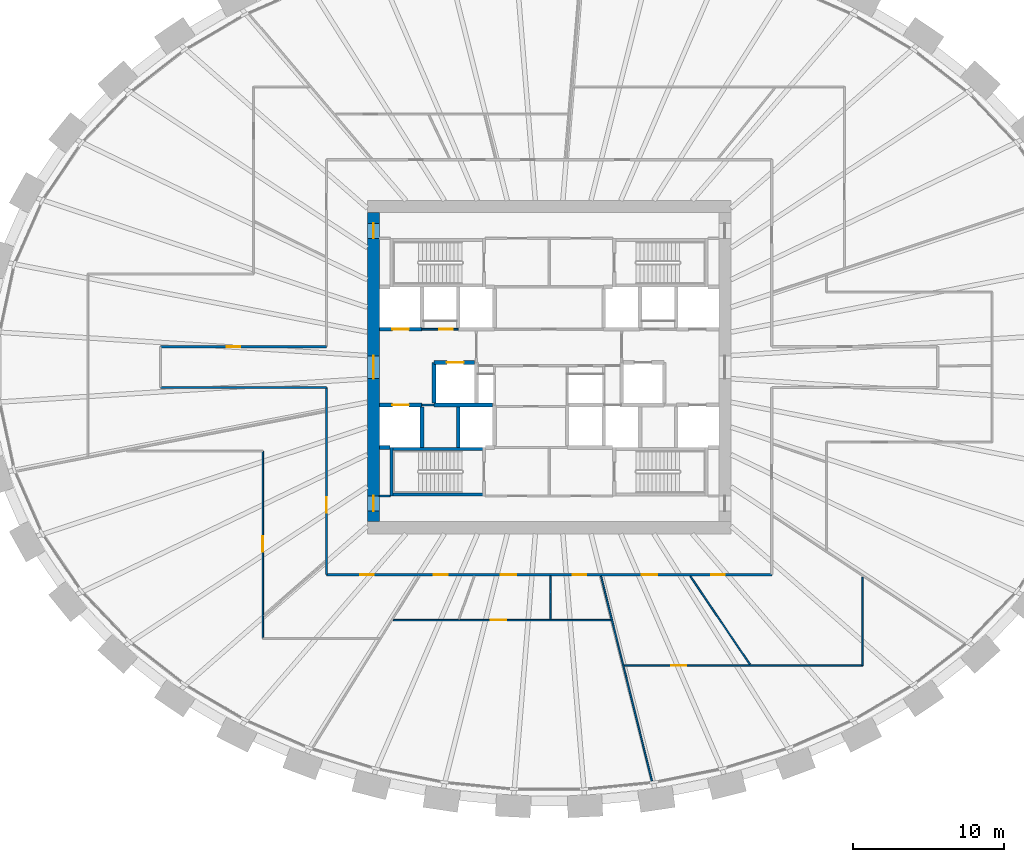
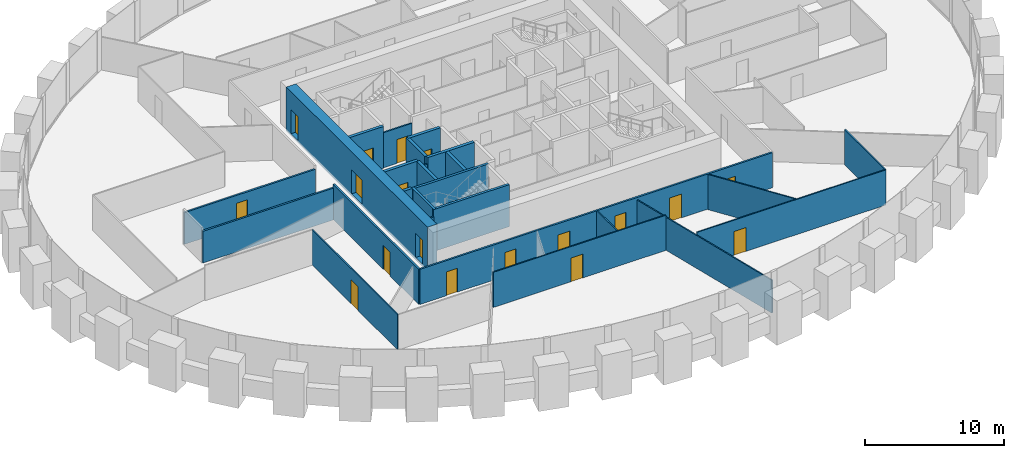
# One storey, part 6 of 10: 26 walls, 18 doors, 18 openings.
"""IFC4 building model written with IfcOpenShell, lengths in metres."""

import ifcopenshell
import ifcopenshell.guid

model = None  # the IFC model being written
_history = None  # IfcOwnerHistory: only IFC2X3 demands one
_inside = {}  # id of a spatial element -> (the spatial element, [elements in it])
_under = {}  # id of a project, library or spatial element -> (it, [spatial elements below it])
_declared = {}  # id of a project -> (the project, [libraries it declares])
_typed = {}  # id of a type object -> (the type object, [elements of that type])
_made_of = {}  # id of a material, layer set ... -> (it, [elements and type objects made of it])


def new_model(schema):
    """Start an empty IFC model of exactly this schema.

    Asked for "IFC4X3", IfcOpenShell would pick the latest addendum, in which some entities
    have other attributes; the version numbers below select the first issue.
    IFC2X3 requires an IfcOwnerHistory on every rooted entity: one is made here for all.
    """
    global model, _history
    if schema == "IFC4X3":
        model = ifcopenshell.file(schema_version=(4, 3, 0, 0))
    else:
        model = ifcopenshell.file(schema=schema)
    _inside.clear()
    _under.clear()
    _declared.clear()
    _typed.clear()
    _made_of.clear()
    _history = None
    if model.schema == "IFC2X3":
        org = make("IfcOrganization", Name="unknown")
        user = make(
            "IfcPersonAndOrganization",
            ThePerson=make("IfcPerson", FamilyName="unknown"),
            TheOrganization=org,
        )
        app = make(
            "IfcApplication",
            ApplicationDeveloper=org,
            Version="unknown",
            ApplicationFullName="unknown",
            ApplicationIdentifier="unknown",
        )
        _history = make(
            "IfcOwnerHistory",
            OwningUser=user,
            OwningApplication=app,
            ChangeAction="ADDED",
            CreationDate=0,
        )
    return model


def make(cls, **values):
    """One entity of the class cls with the attributes given. An attribute that is None is left unset."""
    return model.create_entity(
        cls, **{name: value for name, value in values.items() if value is not None}
    )


def rooted(cls, **values):
    """An entity with a GlobalId (a new one), such as an element, a storey or a relation."""
    return make(cls, GlobalId=ifcopenshell.guid.new(), OwnerHistory=_history, **values)


def si_unit(unit_type, name, prefix=None):
    """IfcSIUnit, for example si_unit("LENGTHUNIT", "METRE", prefix="MILLI")."""
    return make("IfcSIUnit", UnitType=unit_type, Prefix=prefix, Name=name)


def assignment(units):
    """IfcUnitAssignment: the units of a project."""
    return None if units is None else make("IfcUnitAssignment", Units=units)


def point(xyz):
    """IfcCartesianPoint."""
    return None if xyz is None else make("IfcCartesianPoint", Coordinates=xyz)


def direction(xyz):
    """IfcDirection."""
    return None if xyz is None else make("IfcDirection", DirectionRatios=xyz)


def frame(location, z_axis=None, x_axis=None):
    """IfcAxis2Placement3D, a coordinate frame: its origin and axes. An axis left out is left unset."""
    return make(
        "IfcAxis2Placement3D",
        Location=point(location),
        Axis=direction(z_axis),
        RefDirection=direction(x_axis),
    )


def frame_2d(location, x_axis=None):
    """IfcAxis2Placement2D, a coordinate frame in the plane: its origin and x axis."""
    return make(
        "IfcAxis2Placement2D", Location=point(location), RefDirection=direction(x_axis)
    )


def origin():
    """The frame at (0, 0, 0) with its axes left unset."""
    return frame((0.0, 0.0, 0.0))


def place(relative_to, where):
    """IfcLocalPlacement: puts the frame where relative to a parent placement (None: the world)."""
    return make(
        "IfcLocalPlacement", PlacementRelTo=relative_to, RelativePlacement=where
    )


def context(
    kind, dimensions, precision=None, world=None, true_north=None, identifier=None
):
    """IfcGeometricRepresentationContext, for example the 3D "Model" context."""
    return make(
        "IfcGeometricRepresentationContext",
        ContextIdentifier=identifier,
        ContextType=kind,
        CoordinateSpaceDimension=dimensions,
        Precision=precision,
        WorldCoordinateSystem=world,
        TrueNorth=true_north,
    )


def subcontext(parent, identifier, kind, view, scale=None):
    """IfcGeometricRepresentationSubContext, for example "Body" below "Model"."""
    return make(
        "IfcGeometricRepresentationSubContext",
        ContextIdentifier=identifier,
        ContextType=kind,
        ParentContext=parent,
        TargetScale=scale,
        TargetView=view,
    )


def project(units=None, contexts=None):
    """IfcProject with its units and contexts."""
    return rooted(
        "IfcProject",
        Name="project",
        RepresentationContexts=contexts,
        UnitsInContext=assignment(units),
    )


def spatial(cls, under=None, at=None, **own):
    """A site, building, storey or space (cls), placed at a placement, below another one or the project."""
    s = rooted(cls, ObjectPlacement=at, **own)
    if under is not None:
        _under.setdefault(under.id(), (under, []))[1].append(s)
    return s


def profile(cls, at=None, kind="AREA", **sizes):
    """A parametric profile (cls). Its sizes go by their IFC names, for example OverallWidth=200.0."""
    return make(cls, ProfileType=kind, Position=at, **sizes)


def rectangle(**sizes):
    """IfcRectangleProfileDef."""
    return profile("IfcRectangleProfileDef", **sizes)


def extrude(swept, where, along, depth):
    """IfcExtrudedAreaSolid: the profile swept, set in the frame where, extruded along a direction by depth."""
    return make(
        "IfcExtrudedAreaSolid",
        SweptArea=swept,
        Position=where,
        ExtrudedDirection=direction(along),
        Depth=depth,
    )


def shape(context_of_items, identifier, shape_type, items):
    """IfcShapeRepresentation: the items that make up one representation, for example the "Body"."""
    return make(
        "IfcShapeRepresentation",
        ContextOfItems=context_of_items,
        RepresentationIdentifier=identifier,
        RepresentationType=shape_type,
        Items=items,
    )


def source(mapping_origin, context_of_items, identifier, shape_type, items):
    """IfcRepresentationMap: a shape defined once, which mapped items show again and again."""
    return make(
        "IfcRepresentationMap",
        MappingOrigin=mapping_origin,
        MappedRepresentation=shape(context_of_items, identifier, shape_type, items),
    )


def transform(
    local_origin,
    x_axis=None,
    y_axis=None,
    z_axis=None,
    scale=None,
    scale2=None,
    scale3=None,
    uniform=True,
):
    """IfcCartesianTransformationOperator3D, or its non-uniform kind. x_axis, y_axis, z_axis: its Axis1, 2, 3."""
    if uniform:
        return make(
            "IfcCartesianTransformationOperator3D",
            Axis1=direction(x_axis),
            Axis2=direction(y_axis),
            LocalOrigin=point(local_origin),
            Scale=scale,
            Axis3=direction(z_axis),
        )
    return make(
        "IfcCartesianTransformationOperator3DnonUniform",
        Axis1=direction(x_axis),
        Axis2=direction(y_axis),
        LocalOrigin=point(local_origin),
        Scale=scale,
        Axis3=direction(z_axis),
        Scale2=scale2,
        Scale3=scale3,
    )


def mapped(mapping_source, mapping_target):
    """IfcMappedItem: shows the shape of a source again, moved by a transform."""
    return make(
        "IfcMappedItem", MappingSource=mapping_source, MappingTarget=mapping_target
    )


def material(Name=None, Category=None):
    """IfcMaterial."""
    return make("IfcMaterial", Name=Name, Category=Category)


def layer(
    of_material, thickness, ventilated=None, Name=None, Category=None, Priority=None
):
    """IfcMaterialLayer: one layer of a wall or slab, of a material (None: an air gap)."""
    return make(
        "IfcMaterialLayer",
        Material=of_material,
        LayerThickness=thickness,
        IsVentilated=ventilated,
        Name=Name,
        Category=Category,
        Priority=Priority,
    )


def layer_set(layers, Name=None):
    """IfcMaterialLayerSet."""
    return make("IfcMaterialLayerSet", MaterialLayers=layers, LayerSetName=Name)


def made_of(thing, what):
    """Note that an element or type object is made of a material, layer set ...; save() writes the relation."""
    if what is not None:
        _made_of.setdefault(what.id(), (what, []))[1].append(thing)
    return thing


def type_object(cls, material=None, **own):
    """A type object (cls), such as IfcWallType, which elements share."""
    return made_of(rooted(cls, **own), material)


def element(
    cls,
    number,
    at=None,
    inside=None,
    cuts=None,
    type_object=None,
    material=None,
    context=None,
    identifier="Body",
    shape_type=None,
    held_by="IfcProductDefinitionShape",
    body=None,
    shapes=None,
    **own,
):
    """One element of the class cls, such as IfcWall. Its Tag is "e" and its number.

    at: its placement. inside: the storey or other place that contains it. cuts: it is an
    opening in that element (IfcRelVoidsElement). A single representation is given by context,
    identifier, shape_type and body (its items); several are given by shapes. held_by: the class
    of the entity that holds the representations. save() writes the other relations.
    """
    e = rooted(cls, Tag="e%d" % number, ObjectPlacement=at, **own)
    if body is not None:
        shapes = [shape(context, identifier, shape_type, body)]
    if shapes is not None:
        e.Representation = make(held_by, Representations=shapes)
    if inside is not None:
        _inside.setdefault(inside.id(), (inside, []))[1].append(e)
    if cuts is not None:
        rooted(
            "IfcRelVoidsElement", RelatingBuildingElement=cuts, RelatedOpeningElement=e
        )
    if type_object is not None:
        _typed.setdefault(type_object.id(), (type_object, []))[1].append(e)
    return made_of(e, material)


def fill(opening, filler):
    """IfcRelFillsElement: the door or window that sits in an opening."""
    return rooted(
        "IfcRelFillsElement",
        RelatingOpeningElement=opening,
        RelatedBuildingElement=filler,
    )


def aggregate(whole, parts):
    """IfcRelAggregates: a whole, such as a stair, and the parts it consists of."""
    return rooted("IfcRelAggregates", RelatingObject=whole, RelatedObjects=parts)


def save(model, path):
    """Write the relations noted so far, then the file.

    IfcRelAggregates (storeys below a building ...), IfcRelContainedInSpatialStructure (elements
    in a storey), IfcRelDefinesByType, IfcRelAssociatesMaterial and IfcRelDeclares: one each for
    every whole, place, type object, material and project.
    """
    for whole, parts in _under.values():
        aggregate(whole, parts)
    for where, things in _inside.values():
        rooted(
            "IfcRelContainedInSpatialStructure",
            RelatedElements=things,
            RelatingStructure=where,
        )
    for kind, things in _typed.values():
        rooted("IfcRelDefinesByType", RelatedObjects=things, RelatingType=kind)
    for what, things in _made_of.values():
        rooted("IfcRelAssociatesMaterial", RelatedObjects=things, RelatingMaterial=what)
    for by, libraries in _declared.values():
        rooted("IfcRelDeclares", RelatingContext=by, RelatedDefinitions=libraries)
    model.write(path)


model = new_model("IFC4")

# Units and contexts
model_context = context("Model", 3, precision=1e-05, world=origin(), true_north=direction((0.0, 1.0)))
body_context = subcontext(model_context, "Body", "Model", "MODEL_VIEW")
ifc_project = project(units=[si_unit("LENGTHUNIT", "METRE"), si_unit("AREAUNIT", "SQUARE_METRE"), si_unit("VOLUMEUNIT", "CUBIC_METRE"), si_unit("PLANEANGLEUNIT", "RADIAN"), si_unit("MASSUNIT", "GRAM", prefix="KILO")], contexts=[model_context])

# Site, building, storey
site_placement = place(None, origin())
site = spatial("IfcSite", under=ifc_project, at=site_placement, CompositionType="ELEMENT")
building_placement = place(site_placement, origin())
building = spatial("IfcBuilding", under=site, at=building_placement, Name="Embergate Tower", CompositionType="ELEMENT")
storey_placement = place(building_placement, frame((0.0, 0.0, 163.800048828125)))
storey = spatial("IfcBuildingStorey", under=building, at=storey_placement, Name="L36", CompositionType="ELEMENT", Elevation=163.800048828125)

# Wall, openings, doors
ifc_material_1 = material(Name="Concrete C70", Category="concrete")
ifc_layer_1 = layer(ifc_material_1, 0.800048828125)
ifc_layer_set_1 = layer_set([ifc_layer_1], Name="Concrete C70")
wall_type_1 = type_object("IfcWallType", Name="Core outer wall C70 800", PredefinedType="SHEAR", material=ifc_layer_set_1)
shared_shape_1 = source(origin(), body_context, "Body", "SweptSolid", [
    extrude(rectangle(XDim=20.39990234375, YDim=0.800048828125, at=frame_2d((10.199951171875, 0.0))), origin(), (0.0, 0.0, 1.0), 3.89990234375),
])
wall_1_placement = place(storey_placement, frame((-11.60009765625, -10.199951171875, -0.199951171875), z_axis=(0.0, 0.0, 1.0), x_axis=(0.0, 1.0, 0.0)))
wall_1 = element("IfcWall", 1, at=wall_1_placement, inside=storey, type_object=wall_type_1, Name="CW-L36-W", PredefinedType="SHEAR", context=body_context, shape_type="MappedRepresentation", body=[
    mapped(shared_shape_1, transform((0.0, 0.0, 0.0))),
])
shared_shape_2 = source(origin(), body_context, "Body", "SweptSolid", [
    extrude(rectangle(XDim=1.0, YDim=2.10009765625, at=frame_2d((0.5, 1.050048828125))), frame((0.0, 0.409912109375, 0.0), z_axis=(0.0, -1.0, 0.0), x_axis=(1.0, 0.0, 0.0)), (0.0, 0.0, 1.0), 0.820068359375),
])
opening_1_placement = place(wall_1_placement, frame((18.699951171875, 0.0, 0.199951171875)))
opening_1 = element("IfcOpeningElement", 2, at=opening_1_placement, cuts=wall_1, Name="Opening IF-1d", PredefinedType="OPENING", context=body_context, shape_type="MappedRepresentation", body=[
    mapped(shared_shape_2, transform((0.0, 0.0, 0.0))),
])
opening_2_placement = place(wall_1_placement, frame((0.699951171875, 0.0, 0.199951171875)))
opening_2 = element("IfcOpeningElement", 3, at=opening_2_placement, cuts=wall_1, Name="Opening IF-1d", PredefinedType="OPENING", context=body_context, shape_type="MappedRepresentation", body=[
    mapped(shared_shape_2, transform((0.0, 0.0, 0.0))),
])
shared_shape_3 = source(origin(), body_context, "Body", "SweptSolid", [
    extrude(rectangle(XDim=1.5, YDim=2.10009765625, at=frame_2d((0.75, 1.050048828125))), frame((0.0, 0.409912109375, 0.0), z_axis=(0.0, -1.0, 0.0), x_axis=(1.0, 0.0, 0.0)), (0.0, 0.0, 1.0), 0.820068359375),
])
opening_3_placement = place(wall_1_placement, frame((9.449951171875, 0.0, 0.199951171875)))
opening_3 = element("IfcOpeningElement", 4, at=opening_3_placement, cuts=wall_1, Name="Opening IF-3", PredefinedType="OPENING", context=body_context, shape_type="MappedRepresentation", body=[
    mapped(shared_shape_3, transform((0.0, 0.0, 0.0))),
])
ifc_material_2 = material(Name="Lobby fire door pair 1500")
door_type_1 = type_object("IfcDoorType", Name="Lobby fire door pair 1500", OperationType="DOUBLE_DOOR_SINGLE_SWING", PredefinedType="DOOR", material=ifc_material_2)
shared_shape_4 = source(origin(), body_context, "Body", "SweptSolid", [
    extrude(rectangle(XDim=1.5, YDim=2.10009765625, at=frame_2d((0.75, 1.050048828125))), frame((0.0, 0.02490234375, 0.0), z_axis=(0.0, -1.0, 0.0), x_axis=(1.0, 0.0, 0.0)), (0.0, 0.0, 1.0), 0.050048828125),
])
door_1_placement = place(opening_3_placement, origin())
door_1 = element("IfcDoor", 5, at=door_1_placement, inside=storey, type_object=door_type_1, Name="IF-3 door", OperationType="DOUBLE_DOOR_SINGLE_SWING", OverallHeight=2.10009765625, OverallWidth=1.5, PredefinedType="DOOR", context=body_context, shape_type="MappedRepresentation", body=[
    mapped(shared_shape_4, transform((0.0, 0.0, 0.0))),
])
fill(opening_3, door_1)
ifc_material_3 = material(Name="Escape fire door 1000")
door_type_2 = type_object("IfcDoorType", Name="Escape fire door 1000", OperationType="SINGLE_SWING_LEFT", PredefinedType="DOOR", material=ifc_material_3)
shared_shape_5 = source(origin(), body_context, "Body", "SweptSolid", [
    extrude(rectangle(XDim=1.0, YDim=2.10009765625, at=frame_2d((0.5, 1.050048828125))), frame((0.0, 0.02490234375, 0.0), z_axis=(0.0, -1.0, 0.0), x_axis=(1.0, 0.0, 0.0)), (0.0, 0.0, 1.0), 0.050048828125),
])
door_2_placement = place(opening_1_placement, origin())
door_2 = element("IfcDoor", 6, at=door_2_placement, inside=storey, type_object=door_type_2, Name="IF-1 door", OperationType="SINGLE_SWING_RIGHT", OverallHeight=2.10009765625, OverallWidth=1.0, PredefinedType="DOOR", context=body_context, shape_type="MappedRepresentation", body=[
    mapped(shared_shape_5, transform((0.0, 0.0, 0.0))),
])
fill(opening_1, door_2)
door_3_placement = place(opening_2_placement, origin())
door_3 = element("IfcDoor", 7, at=door_3_placement, inside=storey, type_object=door_type_2, Name="IF-1 door", OperationType="SINGLE_SWING_RIGHT", OverallHeight=2.10009765625, OverallWidth=1.0, PredefinedType="DOOR", context=body_context, shape_type="MappedRepresentation", body=[
    mapped(shared_shape_5, transform((0.0, 0.0, 0.0))),
])
fill(opening_2, door_3)

# Wall, opening, door
ifc_material_4 = material(Name="Concrete C50", Category="concrete")
ifc_layer_2 = layer(ifc_material_4, 0.25)
ifc_layer_set_2 = layer_set([ifc_layer_2], Name="Concrete C50")
wall_type_2 = type_object("IfcWallType", Name="Hoistway wall reinforced concrete 250", PredefinedType="SHEAR", material=ifc_layer_set_2)
shared_shape_6 = source(origin(), body_context, "Body", "SweptSolid", [
    extrude(rectangle(XDim=2.675048828125, YDim=0.25, at=frame_2d((1.33740234375, 0.0))), origin(), (0.0, 0.0, 1.0), 3.699951171875),
])
wall_2_placement = place(storey_placement, frame((-4.925048828125, 0.300048828125, 0.0), z_axis=(0.0, 0.0, 1.0), x_axis=(-1.0, 0.0, 0.0)))
wall_2 = element("IfcWall", 8, at=wall_2_placement, inside=storey, type_object=wall_type_2, Name="HW-1 wall", PredefinedType="SHEAR", context=body_context, shape_type="MappedRepresentation", body=[
    mapped(shared_shape_6, transform((0.0, 0.0, 0.0))),
])
shared_shape_7 = source(origin(), body_context, "Body", "SweptSolid", [
    extrude(rectangle(XDim=1.10009765625, YDim=2.10009765625, at=frame_2d((0.550048828125, 1.050048828125))), frame((0.0, 0.135009765625, 0.0), z_axis=(0.0, -1.0, 0.0), x_axis=(1.0, 0.0, 0.0)), (0.0, 0.0, 1.0), 0.27001953125),
])
opening_4_placement = place(wall_2_placement, frame((0.72509765625, 0.0, 0.0)))
opening_4 = element("IfcOpeningElement", 9, at=opening_4_placement, cuts=wall_2, Name="Opening LD", PredefinedType="OPENING", context=body_context, shape_type="MappedRepresentation", body=[
    mapped(shared_shape_7, transform((0.0, 0.0, 0.0))),
])
ifc_material_5 = material(Name="Landing door sliding 1100")
door_type_3 = type_object("IfcDoorType", Name="Landing door sliding 1100", OperationType="SLIDING_TO_LEFT", PredefinedType="DOOR", material=ifc_material_5)
shared_shape_8 = source(origin(), body_context, "Body", "SweptSolid", [
    extrude(rectangle(XDim=1.10009765625, YDim=2.10009765625, at=frame_2d((0.550048828125, 1.050048828125))), frame((0.0, 0.02490234375, 0.0), z_axis=(0.0, -1.0, 0.0), x_axis=(1.0, 0.0, 0.0)), (0.0, 0.0, 1.0), 0.050048828125),
])
door_4_placement = place(opening_4_placement, origin())
door_4 = element("IfcDoor", 10, at=door_4_placement, inside=storey, type_object=door_type_3, Name="LD door", OperationType="SLIDING_TO_LEFT", OverallHeight=2.10009765625, OverallWidth=1.10009765625, PredefinedType="DOOR", context=body_context, shape_type="MappedRepresentation", body=[
    mapped(shared_shape_8, transform((0.0, 0.0, 0.0))),
])
fill(opening_4, door_4)

# Walls
wall_3_placement = place(storey_placement, frame((-7.60009765625, 0.300048828125, 0.0), z_axis=(0.0, 0.0, 1.0), x_axis=(0.0, -1.0, 0.0)))
element("IfcWall", 11, at=wall_3_placement, inside=storey, type_object=wall_type_2, Name="HW-1 wall", PredefinedType="SHEAR", context=body_context, shape_type="MappedRepresentation", body=[
    mapped(shared_shape_6, transform((0.0, 0.0, 0.0))),
])
ifc_layer_3 = layer(ifc_material_4, 0.199951171875)
ifc_layer_set_3 = layer_set([ifc_layer_3], Name="Concrete C50")
wall_type_3 = type_object("IfcWallType", Name="Stair enclosure wall reinforced concrete 250", PredefinedType="SHEAR", material=ifc_layer_set_3)
shared_shape_9 = source(origin(), body_context, "Body", "SweptSolid", [
    extrude(rectangle(XDim=6.300048828125, YDim=0.199951171875, at=frame_2d((3.14990234375, 0.0))), origin(), (0.0, 0.0, 1.0), 3.699951171875),
])
for number, where, z_axis, x_axis, name in (
    (12, (-10.5, -5.39990234375, 0.0), (0.0, 0.0, 1.0), (1.0, 0.0, 0.0), "SE-1 wall"),
    (13, (-10.5, -8.39990234375, 0.0), (0.0, 0.0, 1.0), (1.0, 0.0, 0.0), "SE-1 wall"),
):
    element("IfcWall", number, at=place(storey_placement, frame(where, z_axis=z_axis, x_axis=x_axis)), inside=storey, type_object=wall_type_3, Name=name, PredefinedType="SHEAR", context=body_context, shape_type="MappedRepresentation", body=[
        mapped(shared_shape_9, transform((0.0, 0.0, 0.0))),
    ])
ifc_material_6 = material(Name="Corridor wall dry-lined 150")
ifc_layer_4 = layer(ifc_material_6, 0.14990234375)
ifc_layer_set_4 = layer_set([ifc_layer_4], Name="Corridor wall dry-lined 150")
wall_type_4 = type_object("IfcWallType", Name="Corridor wall dry-lined 150", PredefinedType="PARTITIONING", material=ifc_layer_set_4)
shared_shape_10 = source(origin(), body_context, "Body", "SweptSolid", [
    extrude(rectangle(XDim=10.949951171875, YDim=0.14990234375, at=frame_2d((5.47509765625, 0.0))), origin(), (0.0, 0.0, 1.0), 2.800048828125),
])
wall_4_placement = place(storey_placement, frame((-14.699951171875, -1.35009765625, 0.0), z_axis=(0.0, 0.0, 1.0), x_axis=(-1.0, 0.0, 0.0)))
element("IfcWall", 14, at=wall_4_placement, inside=storey, type_object=wall_type_4, Name="IP-2 wall", PredefinedType="PARTITIONING", context=body_context, shape_type="MappedRepresentation", body=[
    mapped(shared_shape_10, transform((0.0, 0.0, 0.0))),
])

# Wall, opening, door
wall_5_placement = place(storey_placement, frame((-25.64990234375, 1.35009765625, 0.0), z_axis=(0.0, 0.0, 1.0), x_axis=(1.0, 0.0, 0.0)))
wall_5 = element("IfcWall", 15, at=wall_5_placement, inside=storey, type_object=wall_type_4, Name="IP-2 wall", PredefinedType="PARTITIONING", context=body_context, shape_type="MappedRepresentation", body=[
    mapped(shared_shape_10, transform((0.0, 0.0, 0.0))),
])
shared_shape_11 = source(origin(), body_context, "Body", "SweptSolid", [
    extrude(rectangle(XDim=0.89990234375, YDim=2.10009765625, at=frame_2d((0.449951171875, 1.050048828125))), frame((0.0, 0.0849609375, 0.0), z_axis=(0.0, -1.0, 0.0), x_axis=(1.0, 0.0, 0.0)), (0.0, 0.0, 1.0), 0.169921875),
])
opening_5_placement = place(wall_5_placement, frame((4.364013671875, 0.0, 0.0)))
opening_5 = element("IfcOpeningElement", 16, at=opening_5_placement, cuts=wall_5, Name="Opening IF-1c", PredefinedType="OPENING", context=body_context, shape_type="MappedRepresentation", body=[
    mapped(shared_shape_11, transform((0.0, 0.0, 0.0))),
])
ifc_material_7 = material(Name="Escape fire door 900")
door_type_4 = type_object("IfcDoorType", Name="Escape fire door 900", OperationType="SINGLE_SWING_LEFT", PredefinedType="DOOR", material=ifc_material_7)
shared_shape_12 = source(origin(), body_context, "Body", "SweptSolid", [
    extrude(rectangle(XDim=0.89990234375, YDim=2.10009765625, at=frame_2d((0.449951171875, 1.050048828125))), frame((0.0, 0.02490234375, 0.0), z_axis=(0.0, -1.0, 0.0), x_axis=(1.0, 0.0, 0.0)), (0.0, 0.0, 1.0), 0.050048828125),
])
door_5_placement = place(opening_5_placement, origin())
door_5 = element("IfcDoor", 17, at=door_5_placement, inside=storey, type_object=door_type_4, Name="IF-1 door", OperationType="SINGLE_SWING_RIGHT", OverallHeight=2.10009765625, OverallWidth=0.89990234375, PredefinedType="DOOR", context=body_context, shape_type="MappedRepresentation", body=[
    mapped(shared_shape_12, transform((0.0, 0.0, 0.0))),
])
fill(opening_5, door_5)

shared_shape_13 = source(origin(), body_context, "Body", "SweptSolid", [
    extrude(rectangle(XDim=2.800048828125, YDim=0.25, at=frame_2d((1.39990234375, 0.0))), origin(), (0.0, 0.0, 1.0), 3.699951171875),
])
wall_6_placement = place(storey_placement, frame((-11.199951171875, 2.5, 0.0), z_axis=(0.0, 0.0, 1.0), x_axis=(1.0, 0.0, 0.0)))
wall_6 = element("IfcWall", 18, at=wall_6_placement, inside=storey, type_object=wall_type_2, Name="HW-1 wall", PredefinedType="SHEAR", context=body_context, shape_type="MappedRepresentation", body=[
    mapped(shared_shape_13, transform((0.0, 0.0, 0.0))),
])
opening_6_placement = place(wall_6_placement, frame((0.85009765625, 0.0, 0.0)))
opening_6 = element("IfcOpeningElement", 19, at=opening_6_placement, cuts=wall_6, Name="Opening LD", PredefinedType="OPENING", context=body_context, shape_type="MappedRepresentation", body=[
    mapped(shared_shape_7, transform((0.0, 0.0, 0.0))),
])
door_6_placement = place(opening_6_placement, origin())
door_6 = element("IfcDoor", 20, at=door_6_placement, inside=storey, type_object=door_type_3, Name="LD door", OperationType="SLIDING_TO_LEFT", OverallHeight=2.10009765625, OverallWidth=1.10009765625, PredefinedType="DOOR", context=body_context, shape_type="MappedRepresentation", body=[
    mapped(shared_shape_8, transform((0.0, 0.0, 0.0))),
])
fill(opening_6, door_6)

wall_7_placement = place(storey_placement, frame((-8.39990234375, -2.5, 0.0), z_axis=(0.0, 0.0, 1.0), x_axis=(-1.0, 0.0, 0.0)))
wall_7 = element("IfcWall", 21, at=wall_7_placement, inside=storey, type_object=wall_type_2, Name="HW-1 wall", PredefinedType="SHEAR", context=body_context, shape_type="MappedRepresentation", body=[
    mapped(shared_shape_13, transform((0.0, 0.0, 0.0))),
])
opening_7_placement = place(wall_7_placement, frame((0.85009765625, 0.0, 0.0)))
opening_7 = element("IfcOpeningElement", 22, at=opening_7_placement, cuts=wall_7, Name="Opening LD", PredefinedType="OPENING", context=body_context, shape_type="MappedRepresentation", body=[
    mapped(shared_shape_7, transform((0.0, 0.0, 0.0))),
])
door_7_placement = place(opening_7_placement, origin())
door_7 = element("IfcDoor", 23, at=door_7_placement, inside=storey, type_object=door_type_3, Name="LD door", OperationType="SLIDING_TO_LEFT", OverallHeight=2.10009765625, OverallWidth=1.10009765625, PredefinedType="DOOR", context=body_context, shape_type="MappedRepresentation", body=[
    mapped(shared_shape_8, transform((0.0, 0.0, 0.0))),
])
fill(opening_7, door_7)

# Walls
shared_shape_14 = source(origin(), body_context, "Body", "SweptSolid", [
    extrude(rectangle(XDim=3.872802734375, YDim=0.25, at=frame_2d((1.9365234375, 0.0))), origin(), (0.0, 0.0, 1.0), 3.699951171875),
])
wall_8_placement = place(storey_placement, frame((-3.72509765625, -2.5, 0.0), z_axis=(0.0, 0.0, 1.0), x_axis=(-1.0, 0.0, 0.0)))
element("IfcWall", 24, at=wall_8_placement, inside=storey, type_object=wall_type_2, Name="HW-1 wall", PredefinedType="SHEAR", context=body_context, shape_type="MappedRepresentation", body=[
    mapped(shared_shape_14, transform((0.0, 0.0, 0.0))),
])
shared_shape_15 = source(origin(), body_context, "Body", "SweptSolid", [
    extrude(rectangle(XDim=3.196044921875, YDim=0.199951171875, at=frame_2d((1.59814453125, 0.0))), origin(), (0.0, 0.0, 1.0), 3.699951171875),
])
wall_9_placement = place(storey_placement, frame((-10.39990234375, -5.302001953125, 0.0), z_axis=(0.0, 0.0, 1.0), x_axis=(0.0, -1.0, 0.0)))
element("IfcWall", 25, at=wall_9_placement, inside=storey, type_object=wall_type_3, Name="SE-1 wall", PredefinedType="SHEAR", context=body_context, shape_type="MappedRepresentation", body=[
    mapped(shared_shape_15, transform((0.0, 0.0, 0.0))),
])
shared_shape_16 = source(origin(), body_context, "Body", "SweptSolid", [
    extrude(rectangle(XDim=0.697998046875, YDim=0.25, at=frame_2d((0.34912109375, 0.0))), origin(), (0.0, 0.0, 1.0), 3.699951171875),
])
wall_10_placement = place(storey_placement, frame((-11.199951171875, -5.300048828125, 0.0), z_axis=(0.0, 0.0, 1.0), x_axis=(1.0, 0.0, 0.0)))
element("IfcWall", 26, at=wall_10_placement, inside=storey, type_object=wall_type_2, Name="HW-1 wall", PredefinedType="SHEAR", context=body_context, shape_type="MappedRepresentation", body=[
    mapped(shared_shape_16, transform((0.0, 0.0, 0.0))),
])
shared_shape_17 = source(origin(), body_context, "Body", "SweptSolid", [
    extrude(rectangle(XDim=2.671142578125, YDim=0.25, at=frame_2d((1.33544921875, 0.0))), origin(), (0.0, 0.0, 1.0), 3.699951171875),
])
for number, where, z_axis, x_axis, name in (
    (27, (-8.39990234375, -5.298095703125, 0.0), (0.0, 0.0, 1.0), (0.0, 1.0, 0.0), "HW-1 wall"),
    (28, (-6.0, -2.626953125, 0.0), (0.0, 0.0, 1.0), (0.0, -1.0, 0.0), "HW-1 wall"),
):
    element("IfcWall", number, at=place(storey_placement, frame(where, z_axis=z_axis, x_axis=x_axis)), inside=storey, type_object=wall_type_2, Name=name, PredefinedType="SHEAR", context=body_context, shape_type="MappedRepresentation", body=[
        mapped(shared_shape_17, transform((0.0, 0.0, 0.0))),
    ])

# Wall, opening, door
ifc_material_8 = material(Name="Core partition blockwork 120")
ifc_layer_5 = layer(ifc_material_8, 0.1201171875)
ifc_layer_set_5 = layer_set([ifc_layer_5], Name="Core partition blockwork 120")
wall_type_5 = type_object("IfcWallType", Name="Core partition blockwork 120", PredefinedType="PARTITIONING", material=ifc_layer_set_5)
shared_shape_18 = source(origin(), body_context, "Body", "SweptSolid", [
    extrude(rectangle(XDim=2.39990234375, YDim=0.1201171875, at=frame_2d((1.199951171875, 0.0))), origin(), (0.0, 0.0, 1.0), 3.099853515625),
])
wall_11_placement = place(storey_placement, frame((-8.39990234375, 2.5, 0.0), z_axis=(0.0, 0.0, 1.0), x_axis=(1.0, 0.0, 0.0)))
wall_11 = element("IfcWall", 29, at=wall_11_placement, inside=storey, type_object=wall_type_5, Name="IP-3 wall", PredefinedType="PARTITIONING", context=body_context, shape_type="MappedRepresentation", body=[
    mapped(shared_shape_18, transform((0.0, 0.0, 0.0))),
])
shared_shape_19 = source(origin(), body_context, "Body", "SweptSolid", [
    extrude(rectangle(XDim=0.89990234375, YDim=2.10009765625, at=frame_2d((0.449951171875, 1.050048828125))), frame((0.0, 0.070068359375, 0.0), z_axis=(0.0, -1.0, 0.0), x_axis=(1.0, 0.0, 0.0)), (0.0, 0.0, 1.0), 0.14013671875),
])
opening_8_placement = place(wall_11_placement, frame((1.14990234375, 0.0, 0.0)))
opening_8 = element("IfcOpeningElement", 30, at=opening_8_placement, cuts=wall_11, Name="Opening ID-1", PredefinedType="OPENING", context=body_context, shape_type="MappedRepresentation", body=[
    mapped(shared_shape_19, transform((0.0, 0.0, 0.0))),
])
ifc_material_9 = material(Name="Interior door 900")
door_type_5 = type_object("IfcDoorType", Name="Interior door 900", OperationType="SINGLE_SWING_LEFT", PredefinedType="DOOR", material=ifc_material_9)
door_8_placement = place(opening_8_placement, origin())
door_8 = element("IfcDoor", 31, at=door_8_placement, inside=storey, type_object=door_type_5, Name="ID-1 door", OperationType="SINGLE_SWING_RIGHT", OverallHeight=2.10009765625, OverallWidth=0.89990234375, PredefinedType="DOOR", context=body_context, shape_type="MappedRepresentation", body=[
    mapped(shared_shape_12, transform((0.0, 0.0, 0.0))),
])
fill(opening_8, door_8)

# Walls
shared_shape_20 = source(origin(), body_context, "Body", "SweptSolid", [
    extrude(rectangle(XDim=0.7958984375, YDim=0.1201171875, at=frame_2d((0.39794921875, 0.0))), origin(), (0.0, 0.0, 1.0), 3.099853515625),
])
wall_12_placement = place(storey_placement, frame((-8.39794921875, -2.5, 0.0), z_axis=(0.0, 0.0, 1.0), x_axis=(1.0, 0.0, 0.0)))
element("IfcWall", 32, at=wall_12_placement, inside=storey, type_object=wall_type_5, Name="IP-3 wall", PredefinedType="PARTITIONING", context=body_context, shape_type="MappedRepresentation", body=[
    mapped(shared_shape_20, transform((0.0, 0.0, 0.0))),
])
shared_shape_21 = source(origin(), body_context, "Body", "SweptSolid", [
    extrude(rectangle(XDim=0.697998046875, YDim=0.1201171875, at=frame_2d((0.34912109375, 0.0))), origin(), (0.0, 0.0, 1.0), 3.099853515625),
])
wall_13_placement = place(storey_placement, frame((-10.501953125, -8.5, 0.0), z_axis=(0.0, 0.0, 1.0), x_axis=(-1.0, 0.0, 0.0)))
element("IfcWall", 33, at=wall_13_placement, inside=storey, type_object=wall_type_5, Name="IP-3 wall", PredefinedType="PARTITIONING", context=body_context, shape_type="MappedRepresentation", body=[
    mapped(shared_shape_21, transform((0.0, 0.0, 0.0))),
])

# Wall, opening, door
shared_shape_22 = source(origin(), body_context, "Body", "SweptSolid", [
    extrude(rectangle(XDim=12.349853515625, YDim=0.14990234375, at=frame_2d((6.1748046875, 0.0))), origin(), (0.0, 0.0, 1.0), 3.099853515625),
])
wall_14_placement = place(storey_placement, frame((-14.699951171875, -13.699951171875, 0.0), z_axis=(0.0, 0.0, 1.0), x_axis=(0.0, 1.0, 0.0)))
wall_14 = element("IfcWall", 34, at=wall_14_placement, inside=storey, type_object=wall_type_4, Name="IP-2 wall", PredefinedType="PARTITIONING", context=body_context, shape_type="MappedRepresentation", body=[
    mapped(shared_shape_22, transform((0.0, 0.0, 0.0))),
])
shared_shape_23 = source(origin(), body_context, "Body", "SweptSolid", [
    extrude(rectangle(XDim=1.0, YDim=2.10009765625, at=frame_2d((0.5, 1.050048828125))), frame((0.0, 0.0849609375, 0.0), z_axis=(0.0, -1.0, 0.0), x_axis=(1.0, 0.0, 0.0)), (0.0, 0.0, 1.0), 0.169921875),
])
opening_9_placement = place(wall_14_placement, frame((4.095947265625, 0.0, 0.0)))
opening_9 = element("IfcOpeningElement", 35, at=opening_9_placement, cuts=wall_14, Name="Opening ID-2", PredefinedType="OPENING", context=body_context, shape_type="MappedRepresentation", body=[
    mapped(shared_shape_23, transform((0.0, 0.0, 0.0))),
])
ifc_material_10 = material(Name="Interior door 1000")
door_type_6 = type_object("IfcDoorType", Name="Interior door 1000", OperationType="SINGLE_SWING_LEFT", PredefinedType="DOOR", material=ifc_material_10)
door_9_placement = place(opening_9_placement, origin())
door_9 = element("IfcDoor", 36, at=door_9_placement, inside=storey, type_object=door_type_6, Name="ID-2 door", OperationType="SINGLE_SWING_RIGHT", OverallHeight=2.10009765625, OverallWidth=1.0, PredefinedType="DOOR", context=body_context, shape_type="MappedRepresentation", body=[
    mapped(shared_shape_5, transform((0.0, 0.0, 0.0))),
])
fill(opening_9, door_9)

# Wall, openings, doors
shared_shape_24 = source(origin(), body_context, "Body", "SweptSolid", [
    extrude(rectangle(XDim=29.39990234375, YDim=0.14990234375, at=frame_2d((14.699951171875, 0.0))), origin(), (0.0, 0.0, 1.0), 3.099853515625),
])
wall_15_placement = place(storey_placement, frame((14.699951171875, -13.699951171875, 0.0), z_axis=(0.0, 0.0, 1.0), x_axis=(-1.0, 0.0, 0.0)))
wall_15 = element("IfcWall", 37, at=wall_15_placement, inside=storey, type_object=wall_type_4, Name="IP-2 wall", PredefinedType="PARTITIONING", context=body_context, shape_type="MappedRepresentation", body=[
    mapped(shared_shape_24, transform((0.0, 0.0, 0.0))),
])
opening_10_placement = place(wall_15_placement, frame((26.278076171875, 0.0, 0.0)))
opening_10 = element("IfcOpeningElement", 38, at=opening_10_placement, cuts=wall_15, Name="Opening IF-1c", PredefinedType="OPENING", context=body_context, shape_type="MappedRepresentation", body=[
    mapped(shared_shape_11, transform((0.0, 0.0, 0.0))),
])
opening_11_placement = place(wall_15_placement, frame((21.40087890625, 0.0, 0.0)))
opening_11 = element("IfcOpeningElement", 39, at=opening_11_placement, cuts=wall_15, Name="Opening IF-1c", PredefinedType="OPENING", context=body_context, shape_type="MappedRepresentation", body=[
    mapped(shared_shape_11, transform((0.0, 0.0, 0.0))),
])
opening_12_placement = place(wall_15_placement, frame((16.8798828125, 0.0, 0.0)))
opening_12 = element("IfcOpeningElement", 40, at=opening_12_placement, cuts=wall_15, Name="Opening ID-2", PredefinedType="OPENING", context=body_context, shape_type="MappedRepresentation", body=[
    mapped(shared_shape_23, transform((0.0, 0.0, 0.0))),
])
opening_13_placement = place(wall_15_placement, frame((12.23291015625, 0.0, 0.0)))
opening_13 = element("IfcOpeningElement", 41, at=opening_13_placement, cuts=wall_15, Name="Opening IF-1c", PredefinedType="OPENING", context=body_context, shape_type="MappedRepresentation", body=[
    mapped(shared_shape_11, transform((0.0, 0.0, 0.0))),
])
opening_14_placement = place(wall_15_placement, frame((7.573974609375, 0.0, 0.0)))
opening_14 = element("IfcOpeningElement", 42, at=opening_14_placement, cuts=wall_15, Name="Opening ID-2", PredefinedType="OPENING", context=body_context, shape_type="MappedRepresentation", body=[
    mapped(shared_shape_23, transform((0.0, 0.0, 0.0))),
])
opening_15_placement = place(wall_15_placement, frame((3.10205078125, 0.0, 0.0)))
opening_15 = element("IfcOpeningElement", 43, at=opening_15_placement, cuts=wall_15, Name="Opening IF-1c", PredefinedType="OPENING", context=body_context, shape_type="MappedRepresentation", body=[
    mapped(shared_shape_11, transform((0.0, 0.0, 0.0))),
])
door_10_placement = place(opening_10_placement, origin())
door_10 = element("IfcDoor", 44, at=door_10_placement, inside=storey, type_object=door_type_4, Name="IF-1 door", OperationType="SINGLE_SWING_RIGHT", OverallHeight=2.10009765625, OverallWidth=0.89990234375, PredefinedType="DOOR", context=body_context, shape_type="MappedRepresentation", body=[
    mapped(shared_shape_12, transform((0.0, 0.0, 0.0))),
])
fill(opening_10, door_10)
door_11_placement = place(opening_11_placement, origin())
door_11 = element("IfcDoor", 45, at=door_11_placement, inside=storey, type_object=door_type_4, Name="IF-1 door", OperationType="SINGLE_SWING_LEFT", OverallHeight=2.10009765625, OverallWidth=0.89990234375, PredefinedType="DOOR", context=body_context, shape_type="MappedRepresentation", body=[
    mapped(shared_shape_12, transform((0.0, 0.0, 0.0))),
])
fill(opening_11, door_11)
door_12_placement = place(opening_13_placement, origin())
door_12 = element("IfcDoor", 46, at=door_12_placement, inside=storey, type_object=door_type_4, Name="IF-1 door", OperationType="SINGLE_SWING_LEFT", OverallHeight=2.10009765625, OverallWidth=0.89990234375, PredefinedType="DOOR", context=body_context, shape_type="MappedRepresentation", body=[
    mapped(shared_shape_12, transform((0.0, 0.0, 0.0))),
])
fill(opening_13, door_12)
door_13_placement = place(opening_15_placement, origin())
door_13 = element("IfcDoor", 47, at=door_13_placement, inside=storey, type_object=door_type_4, Name="IF-1 door", OperationType="SINGLE_SWING_RIGHT", OverallHeight=2.10009765625, OverallWidth=0.89990234375, PredefinedType="DOOR", context=body_context, shape_type="MappedRepresentation", body=[
    mapped(shared_shape_12, transform((0.0, 0.0, 0.0))),
])
fill(opening_15, door_13)
door_14_placement = place(opening_12_placement, origin())
door_14 = element("IfcDoor", 48, at=door_14_placement, inside=storey, type_object=door_type_6, Name="ID-2 door", OperationType="SINGLE_SWING_LEFT", OverallHeight=2.10009765625, OverallWidth=1.0, PredefinedType="DOOR", context=body_context, shape_type="MappedRepresentation", body=[
    mapped(shared_shape_5, transform((0.0, 0.0, 0.0))),
])
fill(opening_12, door_14)
door_15_placement = place(opening_14_placement, origin())
door_15 = element("IfcDoor", 49, at=door_15_placement, inside=storey, type_object=door_type_6, Name="ID-2 door", OperationType="SINGLE_SWING_RIGHT", OverallHeight=2.10009765625, OverallWidth=1.0, PredefinedType="DOOR", context=body_context, shape_type="MappedRepresentation", body=[
    mapped(shared_shape_5, transform((0.0, 0.0, 0.0))),
])
fill(opening_14, door_15)

# Wall, opening, door
ifc_material_11 = material(Name="Partition dry-lined 100")
ifc_layer_6 = layer(ifc_material_11, 0.10009765625)
ifc_layer_set_6 = layer_set([ifc_layer_6], Name="Partition dry-lined 100")
wall_type_6 = type_object("IfcWallType", Name="Partition dry-lined 100", PredefinedType="PARTITIONING", material=ifc_layer_set_6)
shared_shape_25 = source(origin(), body_context, "Body", "SweptSolid", [
    extrude(rectangle(XDim=12.349853515625, YDim=0.10009765625, at=frame_2d((6.1748046875, 0.0))), origin(), (0.0, 0.0, 1.0), 3.099853515625),
])
wall_16_placement = place(storey_placement, frame((-18.89990234375, -17.89990234375, 0.0), z_axis=(0.0, 0.0, 1.0), x_axis=(0.0, 1.0, 0.0)))
wall_16 = element("IfcWall", 50, at=wall_16_placement, inside=storey, type_object=wall_type_6, Name="IP-1 wall", PredefinedType="PARTITIONING", context=body_context, shape_type="MappedRepresentation", body=[
    mapped(shared_shape_25, transform((0.0, 0.0, 0.0))),
])
shared_shape_26 = source(origin(), body_context, "Body", "SweptSolid", [
    extrude(rectangle(XDim=1.0, YDim=2.10009765625, at=frame_2d((0.5, 1.050048828125))), frame((0.0, 0.06005859375, 0.0), z_axis=(0.0, -1.0, 0.0), x_axis=(1.0, 0.0, 0.0)), (0.0, 0.0, 1.0), 0.1201171875),
])
opening_16_placement = place(wall_16_placement, frame((5.722900390625, 0.0, 0.0)))
opening_16 = element("IfcOpeningElement", 51, at=opening_16_placement, cuts=wall_16, Name="Opening ID-2", PredefinedType="OPENING", context=body_context, shape_type="MappedRepresentation", body=[
    mapped(shared_shape_26, transform((0.0, 0.0, 0.0))),
])
door_16_placement = place(opening_16_placement, origin())
door_16 = element("IfcDoor", 52, at=door_16_placement, inside=storey, type_object=door_type_6, Name="ID-2 door", OperationType="SINGLE_SWING_RIGHT", OverallHeight=2.10009765625, OverallWidth=1.0, PredefinedType="DOOR", context=body_context, shape_type="MappedRepresentation", body=[
    mapped(shared_shape_5, transform((0.0, 0.0, 0.0))),
])
fill(opening_16, door_16)

shared_shape_27 = source(origin(), body_context, "Body", "SweptSolid", [
    extrude(rectangle(XDim=14.3720703125, YDim=0.10009765625, at=frame_2d((7.18603515625, 0.0))), origin(), (0.0, 0.0, 1.0), 3.099853515625),
])
wall_17_placement = place(storey_placement, frame((4.0849609375, -16.699951171875, 0.0), z_axis=(0.0, 0.0, 1.0), x_axis=(-1.0, 0.0, 0.0)))
wall_17 = element("IfcWall", 53, at=wall_17_placement, inside=storey, type_object=wall_type_6, Name="IP-1 wall", PredefinedType="PARTITIONING", context=body_context, shape_type="MappedRepresentation", body=[
    mapped(shared_shape_27, transform((0.0, 0.0, 0.0))),
])
opening_17_placement = place(wall_17_placement, frame((6.92431640625, 0.0, 0.0)))
opening_17 = element("IfcOpeningElement", 54, at=opening_17_placement, cuts=wall_17, Name="Opening ID-2", PredefinedType="OPENING", context=body_context, shape_type="MappedRepresentation", body=[
    mapped(shared_shape_26, transform((0.0, 0.0, 0.0))),
])
door_17_placement = place(opening_17_placement, origin())
door_17 = element("IfcDoor", 55, at=door_17_placement, inside=storey, type_object=door_type_6, Name="ID-2 door", OperationType="SINGLE_SWING_LEFT", OverallHeight=2.10009765625, OverallWidth=1.0, PredefinedType="DOOR", context=body_context, shape_type="MappedRepresentation", body=[
    mapped(shared_shape_5, transform((0.0, 0.0, 0.0))),
])
fill(opening_17, door_17)

# Walls
shared_shape_28 = source(origin(), body_context, "Body", "SweptSolid", [
    extrude(rectangle(XDim=2.875, YDim=0.10009765625, at=frame_2d((1.4375, 0.0))), origin(), (0.0, 0.0, 1.0), 3.099853515625),
])
wall_18_placement = place(storey_placement, frame((0.0849609375, -13.77490234375, 0.0), z_axis=(0.0, 0.0, 1.0), x_axis=(0.006283843324, -0.999980256462, 0.0)))
element("IfcWall", 56, at=wall_18_placement, inside=storey, type_object=wall_type_6, Name="IP-1 wall", PredefinedType="PARTITIONING", context=body_context, shape_type="MappedRepresentation", body=[
    mapped(shared_shape_28, transform((0.0, 0.0, 0.0))),
])
shared_shape_29 = source(origin(), body_context, "Body", "SweptSolid", [
    extrude(rectangle(XDim=14.034912109375, YDim=0.10009765625, at=frame_2d((7.017578125, 0.0))), origin(), (0.0, 0.0, 1.0), 2.89990234375),
])
wall_19_placement = place(storey_placement, frame((3.426025390625, -13.787109375, 0.0), z_axis=(0.0, 0.0, 1.0), x_axis=(0.24111509686, -0.970496527591, 0.0)))
element("IfcWall", 57, at=wall_19_placement, inside=storey, type_object=wall_type_6, Name="IP-1 wall", PredefinedType="PARTITIONING", context=body_context, shape_type="MappedRepresentation", body=[
    mapped(shared_shape_29, transform((0.0, 0.0, 0.0))),
])
shared_shape_30 = source(origin(), body_context, "Body", "SweptSolid", [
    extrude(rectangle(XDim=7.021728515625, YDim=0.10009765625, at=frame_2d((3.5107421875, 0.0))), origin(), (0.0, 0.0, 1.0), 3.099853515625),
])
wall_20_placement = place(storey_placement, frame((9.323974609375, -13.802978515625, 0.0), z_axis=(0.0, 0.0, 1.0), x_axis=(0.559672882292, -0.828713620515, 0.0)))
element("IfcWall", 58, at=wall_20_placement, inside=storey, type_object=wall_type_6, Name="IP-1 wall", PredefinedType="PARTITIONING", context=body_context, shape_type="MappedRepresentation", body=[
    mapped(shared_shape_30, transform((0.0, 0.0, 0.0))),
])

# Wall, opening, door
shared_shape_31 = source(origin(), body_context, "Body", "SweptSolid", [
    extrude(rectangle(XDim=15.740966796875, YDim=0.10009765625, at=frame_2d((7.87060546875, 0.0))), origin(), (0.0, 0.0, 1.0), 3.099853515625),
])
wall_21_placement = place(storey_placement, frame((4.958984375, -19.699951171875, 0.0), z_axis=(0.0, 0.0, 1.0), x_axis=(1.0, 0.0, 0.0)))
wall_21 = element("IfcWall", 59, at=wall_21_placement, inside=storey, type_object=wall_type_6, Name="IP-1 wall", PredefinedType="PARTITIONING", context=body_context, shape_type="MappedRepresentation", body=[
    mapped(shared_shape_31, transform((0.0, 0.0, 0.0))),
])
opening_18_placement = place(wall_21_placement, frame((3.097412109375, 0.0, 0.0)))
opening_18 = element("IfcOpeningElement", 60, at=opening_18_placement, cuts=wall_21, Name="Opening ID-2", PredefinedType="OPENING", context=body_context, shape_type="MappedRepresentation", body=[
    mapped(shared_shape_26, transform((0.0, 0.0, 0.0))),
])
door_18_placement = place(opening_18_placement, origin())
door_18 = element("IfcDoor", 61, at=door_18_placement, inside=storey, type_object=door_type_6, Name="ID-2 door", OperationType="SINGLE_SWING_LEFT", OverallHeight=2.10009765625, OverallWidth=1.0, PredefinedType="DOOR", context=body_context, shape_type="MappedRepresentation", body=[
    mapped(shared_shape_5, transform((0.0, 0.0, 0.0))),
])
fill(opening_18, door_18)

# Wall
shared_shape_32 = source(origin(), body_context, "Body", "SweptSolid", [
    extrude(rectangle(XDim=5.845947265625, YDim=0.10009765625, at=frame_2d((2.9228515625, 0.0))), origin(), (0.0, 0.0, 1.0), 3.099853515625),
])
wall_22_placement = place(storey_placement, frame((20.699951171875, -13.85400390625, 0.0), z_axis=(0.0, 0.0, 1.0), x_axis=(0.0, -1.0, 0.0)))
element("IfcWall", 62, at=wall_22_placement, inside=storey, type_object=wall_type_6, Name="IP-1 wall", PredefinedType="PARTITIONING", context=body_context, shape_type="MappedRepresentation", body=[
    mapped(shared_shape_32, transform((0.0, 0.0, 0.0))),
])

save(model, "model.ifc")
